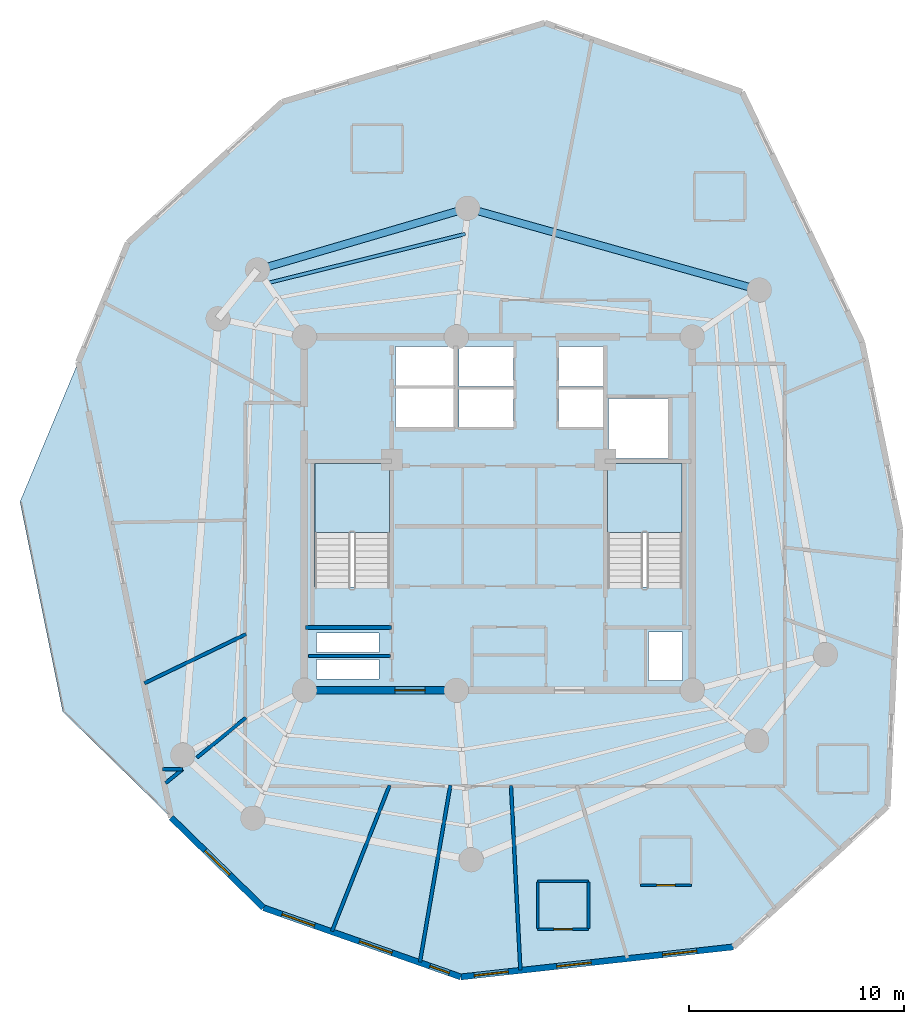
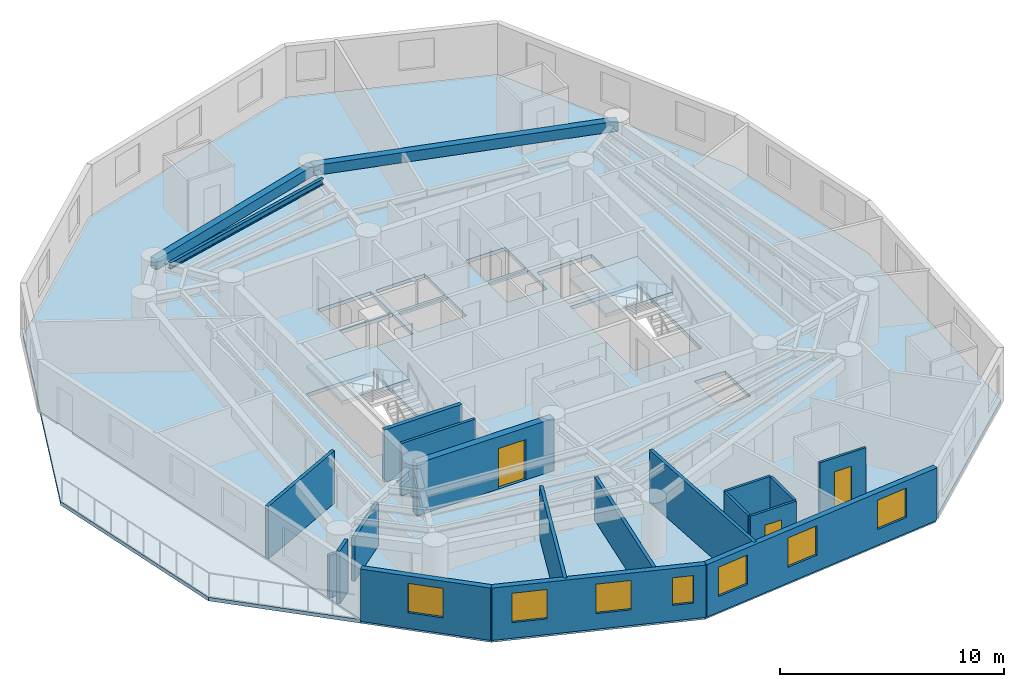
# One storey, part 2 of 8: 18 walls, 7 windows, 4 slabs, 3 beams, 3 doors, 10 openings, 2 elements without a shape of their own.
"""IFC4 building model written with IfcOpenShell, lengths in metres."""

from ifc_helpers import new_model, si_unit, direction, frame, frame_2d, origin, origin_with_axes, origin_2d, place, context, subcontext, project, spatial, polyline, rectangle, i_section, outline, extrude, source, transform, mapped, material, layer, layer_set, material_profile, profile_set, type_object, element, fill, aggregate, save


model = new_model("IFC4")

# Units and contexts
model_context = context("Model", 3, precision=1e-05, world=origin(), true_north=direction((0.0, 1.0)))
body_context = subcontext(model_context, "Body", "Model", "MODEL_VIEW")
ifc_project = project(units=[si_unit("LENGTHUNIT", "METRE"), si_unit("AREAUNIT", "SQUARE_METRE"), si_unit("VOLUMEUNIT", "CUBIC_METRE"), si_unit("PLANEANGLEUNIT", "RADIAN"), si_unit("MASSUNIT", "GRAM", prefix="KILO")], contexts=[model_context])

# Site, building, storey
site_placement = place(None, origin())
site = spatial("IfcSite", under=ifc_project, at=site_placement, CompositionType="ELEMENT")
building_placement = place(site_placement, origin())
building = spatial("IfcBuilding", under=site, at=building_placement, Name="Karkom Vertical University and Central Library", CompositionType="ELEMENT")
storey_placement = place(building_placement, frame((0.0, 0.0, 216.89990234375)))
storey = spatial("IfcBuildingStorey", under=building, at=storey_placement, Name="L63", CompositionType="ELEMENT", Elevation=216.89990234375)

# Beams
ifc_material_1 = material(Name="Precast concrete C45/55", Category="concrete")
ifc_material_profile_1 = material_profile(ifc_material_1, rectangle(XDim=0.35009765625, YDim=0.550048828125, at=origin_2d()), Name="SPB-350x550")
ifc_profile_set_1 = profile_set([ifc_material_profile_1], Name="Precast concrete C45/55")
beam_type_1 = type_object("IfcBeamType", Name="STR-BM-SP-2", PredefinedType="SPANDREL", material=ifc_profile_set_1)
shared_shape_1 = source(origin_with_axes(), body_context, "Body", "SweptSolid", [
    extrude(rectangle(XDim=0.35009765625, YDim=0.550048828125, at=origin_2d()), origin(), (0.0, 0.0, 1.0), 14.0625),
])
beam_1_placement = place(storey_placement, frame((40.613037109375, 36.8798828125, 2.5751953125), z_axis=(-0.962854853531, 0.270019501207, 0.0), x_axis=(-0.270019501207, -0.962854853531, 0.0)))
element("IfcBeam", 1, at=beam_1_placement, inside=storey, type_object=beam_type_1, Name="Level 63 Perimeter Spandrel Beam 02", PredefinedType="SPANDREL", context=body_context, shape_type="MappedRepresentation", body=[
    mapped(shared_shape_1, transform((0.0, 0.0, 0.0), scale=1.0)),
])
shared_shape_2 = source(origin_with_axes(), body_context, "Body", "SweptSolid", [
    extrude(rectangle(XDim=0.35009765625, YDim=0.550048828125, at=origin_2d()), origin(), (0.0, 0.0, 1.0), 10.164794921875),
])
beam_2_placement = place(storey_placement, frame((27.072998046875, 40.677001953125, 2.5751953125), z_axis=(-0.959485124536, -0.281759286971, 0.0), x_axis=(0.281759286971, -0.959485124536, 0.0)))
element("IfcBeam", 2, at=beam_2_placement, inside=storey, type_object=beam_type_1, Name="Level 63 Perimeter Spandrel Beam 03", PredefinedType="SPANDREL", context=body_context, shape_type="MappedRepresentation", body=[
    mapped(shared_shape_2, transform((0.0, 0.0, 0.0), scale=1.0)),
])
ifc_material_2 = material(Name="Steel S355", Category="steel")
ifc_material_profile_2 = material_profile(ifc_material_2, i_section(OverallWidth=0.159912109375, OverallDepth=0.330078125, WebThickness=0.007568359375, FlangeThickness=0.011474609375, FilletRadius=0.01806640625, at=origin_2d()), Name="IPE 330")
ifc_profile_set_2 = profile_set([ifc_material_profile_2], Name="Steel S355")
beam_type_2 = type_object("IfcBeamType", Name="STR-BM-SB-IPE330", PredefinedType="BEAM", material=ifc_profile_set_2)
shared_shape_3 = source(origin_with_axes(), body_context, "Body", "SweptSolid", [
    extrude(i_section(OverallWidth=0.159912109375, OverallDepth=0.330078125, WebThickness=0.007568359375, FlangeThickness=0.011474609375, FilletRadius=0.01806640625, at=origin_2d()), origin(), (0.0, 0.0, 1.0), 9.4931640625),
])
beam_3_placement = place(storey_placement, frame((26.968505859375, 39.481689453125, 2.68505859375), z_axis=(-0.970435275293, -0.241361505767, 0.0), x_axis=(0.241361505767, -0.970435275293, 0.0)))
element("IfcBeam", 3, at=beam_3_placement, inside=storey, type_object=beam_type_2, Name="Level 63 Secondary Composite Floor Beam 3.03", PredefinedType="BEAM", context=body_context, shape_type="MappedRepresentation", body=[
    mapped(shared_shape_3, transform((0.0, 0.0, 0.0), scale=1.0)),
])

# Stair, slab
ifc_material_3 = material(Name="Concrete C45/55", Category="concrete")
stair_type = type_object("IfcStairType", Name="INT-STR-ST-MAIN", PredefinedType="HALF_TURN_STAIR", material=ifc_material_3)
stair_1_placement = place(storey_placement, origin())
stair_1 = element("IfcStair", 4, at=stair_1_placement, inside=storey, type_object=stair_type, Name="Level 63 Tower Protected Exit Stair ST-1", PredefinedType="HALF_TURN_STAIR")
ifc_layer_1 = layer(ifc_material_3, 0.199951171875)
ifc_layer_set_1 = layer_set([ifc_layer_1], Name="Concrete C45/55")
slab_type_1 = type_object("IfcSlabType", Name="INT-SLB-LANDING", PredefinedType="LANDING", material=ifc_layer_set_1)
slab_1_placement = place(storey_placement, frame((0.0, 0.0, 1.3251953125)))
slab_1 = element("IfcSlab", 5, at=slab_1_placement, type_object=slab_type_1, Name="ST-1 landing 1", PredefinedType="LANDING", context=body_context, shape_type="SweptSolid", body=[
    extrude(outline(polyline([(23.43994140625, 25.6298828125), (23.43994140625, 28.820068359375), (19.97998046875, 28.820068359375), (19.97998046875, 25.6298828125), (23.43994140625, 25.6298828125)])), origin(), (0.0, 0.0, 1.0), 0.199951171875),
])
aggregate(stair_1, [slab_1])

stair_2_placement = place(storey_placement, origin())
stair_2 = element("IfcStair", 6, at=stair_2_placement, inside=storey, type_object=stair_type, Name="Level 63 Tower Protected Exit Stair ST-2", PredefinedType="HALF_TURN_STAIR")
slab_2_placement = place(storey_placement, frame((0.0, 0.0, 1.3251953125)))
slab_2 = element("IfcSlab", 7, at=slab_2_placement, type_object=slab_type_1, Name="ST-2 landing 1", PredefinedType="LANDING", context=body_context, shape_type="SweptSolid", body=[
    extrude(outline(polyline([(37.02001953125, 25.6298828125), (37.02001953125, 28.820068359375), (33.56005859375, 28.820068359375), (33.56005859375, 25.6298828125), (37.02001953125, 25.6298828125)])), origin(), (0.0, 0.0, 1.0), 0.199951171875),
])
aggregate(stair_2, [slab_2])

# Slabs
ifc_material_4 = material(Name="Concrete C40/50", Category="concrete")
ifc_layer_2 = layer(ifc_material_4, 0.199951171875)
ifc_layer_set_2 = layer_set([ifc_layer_2], Name="Concrete C40/50")
slab_type_2 = type_object("IfcSlabType", Name="STR-SLB-FLR-200", PredefinedType="FLOOR", material=ifc_layer_set_2)
slab_3_placement = place(storey_placement, frame((0.0, 0.0, -0.199951171875)))
element("IfcSlab", 8, at=slab_3_placement, inside=storey, type_object=slab_type_2, Name="Level 63 Tower Structural Floor Slab", PredefinedType="FLOOR", context=body_context, shape_type="SweptSolid", body=[
    extrude(outline(polyline([(13.316162109375, 12.3916015625), (17.596923828125, 8.20849609375), (26.75244140625, 4.9951171875), (39.4033203125, 6.387939453125), (46.555419921875, 12.914306640625), (47.144775390625, 25.774658203125), (45.37353515625, 34.464599609375), (39.798095703125, 46.068603515625), (30.662109375, 49.27490234375), (18.475341796875, 45.605712890625), (11.307861328125, 39.065185546875), (9.005615234375, 33.540283203125), (13.316162109375, 12.3916015625)]), holes=[polyline([(19.97998046875, 23.0849609375), (23.43994140625, 23.0849609375), (23.43994140625, 28.820068359375), (19.97998046875, 28.820068359375), (19.97998046875, 23.0849609375)]), polyline([(33.56005859375, 23.0849609375), (37.02001953125, 23.0849609375), (37.02001953125, 28.820068359375), (33.56005859375, 28.820068359375), (33.56005859375, 23.0849609375)]), polyline([(26.679931640625, 30.5), (29.199951171875, 30.5), (29.199951171875, 32.25), (26.679931640625, 32.25), (26.679931640625, 30.5)]), polyline([(26.679931640625, 32.39990234375), (29.199951171875, 32.39990234375), (29.199951171875, 34.25), (26.679931640625, 34.25), (26.679931640625, 32.39990234375)]), polyline([(31.300048828125, 30.5), (33.35009765625, 30.5), (33.35009765625, 32.25), (31.300048828125, 32.25), (31.300048828125, 30.5)]), polyline([(31.300048828125, 32.39990234375), (33.35009765625, 32.39990234375), (33.35009765625, 34.25), (31.300048828125, 34.25), (31.300048828125, 32.39990234375)]), polyline([(23.719970703125, 30.47998046875), (26.429931640625, 30.47998046875), (26.429931640625, 32.320068359375), (23.719970703125, 32.320068359375), (23.719970703125, 30.47998046875)]), polyline([(23.719970703125, 32.419921875), (26.429931640625, 32.419921875), (26.429931640625, 34.260009765625), (23.719970703125, 34.260009765625), (23.719970703125, 32.419921875)]), polyline([(33.60009765625, 29.050048828125), (36.39990234375, 29.050048828125), (36.39990234375, 31.85009765625), (33.60009765625, 31.85009765625), (33.60009765625, 29.050048828125)]), polyline([(20.050048828125, 18.820068359375), (22.949951171875, 18.820068359375), (22.949951171875, 19.719970703125), (20.050048828125, 19.719970703125), (20.050048828125, 18.820068359375)]), polyline([(20.050048828125, 20.06005859375), (22.949951171875, 20.06005859375), (22.949951171875, 20.9599609375), (20.050048828125, 20.9599609375), (20.050048828125, 20.06005859375)]), polyline([(35.4599609375, 18.760009765625), (37.0400390625, 18.760009765625), (37.0400390625, 21.010009765625), (35.4599609375, 21.010009765625), (35.4599609375, 18.760009765625)])]), origin(), (0.0, 0.0, 1.0), 0.199951171875),
])
ifc_layer_3 = layer(ifc_material_3, 0.199951171875)
ifc_layer_set_3 = layer_set([ifc_layer_3], Name="Concrete C45/55")
slab_type_3 = type_object("IfcSlabType", Name="STR-SLB-PLN-260", PredefinedType="USERDEFINED", material=ifc_layer_set_3)
slab_4_placement = place(storey_placement, frame((0.0, 0.0, -0.199951171875)))
element("IfcSlab", 9, at=slab_4_placement, inside=storey, type_object=slab_type_3, Name="Level 63 Spiral Sky Garden Planter Terrace", ObjectType="PLANTER", PredefinedType="USERDEFINED", context=body_context, shape_type="SweptSolid", body=[
    extrude(outline(polyline([(8.2822265625, 17.310791015625), (13.316162109375, 12.3916015625), (9.005615234375, 33.540283203125), (6.298583984375, 27.043701171875), (8.2822265625, 17.310791015625)])), origin(), (0.0, 0.0, 1.0), 0.199951171875),
])

# Wall, opening, window
ifc_material_5 = material(Name="Brick-faced precast concrete C45/55", Category="masonry")
ifc_layer_4 = layer(ifc_material_5, 0.280029296875)
ifc_layer_set_4 = layer_set([ifc_layer_4], Name="Brick-faced precast concrete C45/55")
wall_type_1 = type_object("IfcWallType", Name="ENV-WL-BRK-280", PredefinedType="SOLIDWALL", material=ifc_layer_set_4)
wall_1_placement = place(storey_placement, frame((13.316162109375, 12.3916015625, 0.0), z_axis=(0.0, 0.0, 1.0), x_axis=(0.715217786387, -0.69890165119, 0.0)))
wall_1 = element("IfcWall", 10, at=wall_1_placement, inside=storey, type_object=wall_type_1, Name="Level 63 Brick-Faced Precast Facade Wall 01", PredefinedType="SOLIDWALL", context=body_context, shape_type="SweptSolid", body=[
    extrude(rectangle(XDim=5.9853515625, YDim=0.280029296875, at=frame_2d((2.99267578125, 0.0))), origin(), (0.0, 0.0, 1.0), 2.85009765625),
])
opening_1_placement = place(wall_1_placement, frame((2.192626953125, 0.0, 0.85009765625)))
opening_1 = element("IfcOpeningElement", 11, at=opening_1_placement, cuts=wall_1, Name="Opening WN-10", PredefinedType="OPENING", context=body_context, shape_type="SweptSolid", body=[
    extrude(rectangle(XDim=1.60009765625, YDim=1.60009765625, at=frame_2d((0.800048828125, 0.800048828125))), frame((0.0, 0.14990234375, 0.0), z_axis=(0.0, -1.0, 0.0), x_axis=(1.0, 0.0, 0.0)), (0.0, 0.0, 1.0), 0.300048828125),
])
ifc_material_6 = material(Name="Aluminium thermal-break frame with solar-control IGU", Category="aluminium")
window_type_1 = type_object("IfcWindowType", Name="ENV-WIN-WN-10", PartitioningType="SINGLE_PANEL", PredefinedType="WINDOW", material=ifc_material_6)
shared_shape_4 = source(origin_with_axes(), body_context, "Body", "SweptSolid", [
    extrude(rectangle(XDim=1.60009765625, YDim=1.60009765625, at=frame_2d((0.800048828125, 0.800048828125))), frame((0.0, 0.030029296875, 0.0), z_axis=(0.0, -1.0, 0.0), x_axis=(1.0, 0.0, 0.0)), (0.0, 0.0, 1.0), 0.06005859375),
])
window_1_placement = place(opening_1_placement, origin())
window_1 = element("IfcWindow", 12, at=window_1_placement, inside=storey, type_object=window_type_1, Name="Level 63 Punched Window 1.1", OverallHeight=1.60009765625, OverallWidth=1.60009765625, PartitioningType="SINGLE_PANEL", PredefinedType="WINDOW", context=body_context, shape_type="MappedRepresentation", body=[
    mapped(shared_shape_4, transform((0.0, 0.0, 0.0), scale=1.0)),
])
fill(opening_1, window_1)

# Wall, openings, windows
wall_2_placement = place(storey_placement, frame((17.596923828125, 8.20849609375, 0.0), z_axis=(0.0, 0.0, 1.0), x_axis=(0.943570466197, -0.331171821447, 0.0)))
wall_2 = element("IfcWall", 13, at=wall_2_placement, inside=storey, type_object=wall_type_1, Name="Level 63 Brick-Faced Precast Facade Wall 02", PredefinedType="SOLIDWALL", context=body_context, shape_type="SweptSolid", body=[
    extrude(rectangle(XDim=9.703125, YDim=0.280029296875, at=frame_2d((4.8515625, 0.0))), origin(), (0.0, 0.0, 1.0), 2.85009765625),
])
opening_2_placement = place(wall_2_placement, frame((0.910888671875, 0.0, 0.85009765625)))
opening_2 = element("IfcOpeningElement", 14, at=opening_2_placement, cuts=wall_2, Name="Opening WN-10", PredefinedType="OPENING", context=body_context, shape_type="SweptSolid", body=[
    extrude(rectangle(XDim=1.60009765625, YDim=1.60009765625, at=frame_2d((0.800048828125, 0.800048828125))), frame((0.0, 0.14990234375, 0.0), z_axis=(0.0, -1.0, 0.0), x_axis=(1.0, 0.0, 0.0)), (0.0, 0.0, 1.0), 0.300048828125),
])
opening_3_placement = place(wall_2_placement, frame((4.722412109375, 0.0, 0.85009765625)))
opening_3 = element("IfcOpeningElement", 15, at=opening_3_placement, cuts=wall_2, Name="Opening WN-10", PredefinedType="OPENING", context=body_context, shape_type="SweptSolid", body=[
    extrude(rectangle(XDim=1.60009765625, YDim=1.60009765625, at=frame_2d((0.800048828125, 0.800048828125))), frame((0.0, 0.14990234375, 0.0), z_axis=(0.0, -1.0, 0.0), x_axis=(1.0, 0.0, 0.0)), (0.0, 0.0, 1.0), 0.300048828125),
])
opening_4_placement = place(wall_2_placement, frame((8.18798828125, 0.0, 0.85009765625)))
opening_4 = element("IfcOpeningElement", 16, at=opening_4_placement, cuts=wall_2, Name="Opening WN-12", PredefinedType="OPENING", context=body_context, shape_type="SweptSolid", body=[
    extrude(rectangle(XDim=0.949951171875, YDim=1.5, at=frame_2d((0.47509765625, 0.75))), frame((0.0, 0.14990234375, 0.0), z_axis=(0.0, -1.0, 0.0), x_axis=(1.0, 0.0, 0.0)), (0.0, 0.0, 1.0), 0.300048828125),
])
window_type_2 = type_object("IfcWindowType", Name="ENV-WIN-WN-12", PartitioningType="SINGLE_PANEL", PredefinedType="WINDOW", material=ifc_material_6)
shared_shape_5 = source(origin_with_axes(), body_context, "Body", "SweptSolid", [
    extrude(rectangle(XDim=0.949951171875, YDim=1.5, at=frame_2d((0.47509765625, 0.75))), frame((0.0, 0.030029296875, 0.0), z_axis=(0.0, -1.0, 0.0), x_axis=(1.0, 0.0, 0.0)), (0.0, 0.0, 1.0), 0.06005859375),
])
window_2_placement = place(opening_4_placement, origin())
window_2 = element("IfcWindow", 17, at=window_2_placement, inside=storey, type_object=window_type_2, Name="Level 63 Punched Window 2.3", OverallHeight=1.5, OverallWidth=0.949951171875, PartitioningType="SINGLE_PANEL", PredefinedType="WINDOW", context=body_context, shape_type="MappedRepresentation", body=[
    mapped(shared_shape_5, transform((0.0, 0.0, 0.0), scale=1.0)),
])
fill(opening_4, window_2)
window_3_placement = place(opening_2_placement, origin())
window_3 = element("IfcWindow", 18, at=window_3_placement, inside=storey, type_object=window_type_1, Name="Level 63 Punched Window 2.1", OverallHeight=1.60009765625, OverallWidth=1.60009765625, PartitioningType="SINGLE_PANEL", PredefinedType="WINDOW", context=body_context, shape_type="MappedRepresentation", body=[
    mapped(shared_shape_4, transform((0.0, 0.0, 0.0), scale=1.0)),
])
fill(opening_2, window_3)
window_4_placement = place(opening_3_placement, origin())
window_4 = element("IfcWindow", 19, at=window_4_placement, inside=storey, type_object=window_type_1, Name="Level 63 Punched Window 2.2", OverallHeight=1.60009765625, OverallWidth=1.60009765625, PartitioningType="SINGLE_PANEL", PredefinedType="WINDOW", context=body_context, shape_type="MappedRepresentation", body=[
    mapped(shared_shape_4, transform((0.0, 0.0, 0.0), scale=1.0)),
])
fill(opening_3, window_4)

wall_3_placement = place(storey_placement, frame((26.75244140625, 4.9951171875, 0.0), z_axis=(0.0, 0.0, 1.0), x_axis=(0.993993885495, 0.10943562308, 0.0)))
wall_3 = element("IfcWall", 20, at=wall_3_placement, inside=storey, type_object=wall_type_1, Name="Level 63 Brick-Faced Precast Facade Wall 03", PredefinedType="SOLIDWALL", context=body_context, shape_type="SweptSolid", body=[
    extrude(rectangle(XDim=12.727294921875, YDim=0.280029296875, at=frame_2d((6.36376953125, 0.0))), origin(), (0.0, 0.0, 1.0), 2.85009765625),
])
opening_5_placement = place(wall_3_placement, frame((0.625, 0.0, 0.85009765625)))
opening_5 = element("IfcOpeningElement", 21, at=opening_5_placement, cuts=wall_3, Name="Opening WN-10", PredefinedType="OPENING", context=body_context, shape_type="SweptSolid", body=[
    extrude(rectangle(XDim=1.60009765625, YDim=1.60009765625, at=frame_2d((0.800048828125, 0.800048828125))), frame((0.0, 0.14990234375, 0.0), z_axis=(0.0, -1.0, 0.0), x_axis=(1.0, 0.0, 0.0)), (0.0, 0.0, 1.0), 0.300048828125),
])
opening_6_placement = place(wall_3_placement, frame((4.484619140625, 0.0, 0.85009765625)))
opening_6 = element("IfcOpeningElement", 22, at=opening_6_placement, cuts=wall_3, Name="Opening WN-10", PredefinedType="OPENING", context=body_context, shape_type="SweptSolid", body=[
    extrude(rectangle(XDim=1.60009765625, YDim=1.60009765625, at=frame_2d((0.800048828125, 0.800048828125))), frame((0.0, 0.14990234375, 0.0), z_axis=(0.0, -1.0, 0.0), x_axis=(1.0, 0.0, 0.0)), (0.0, 0.0, 1.0), 0.300048828125),
])
opening_7_placement = place(wall_3_placement, frame((9.423095703125, 0.0, 0.85009765625)))
opening_7 = element("IfcOpeningElement", 23, at=opening_7_placement, cuts=wall_3, Name="Opening WN-10", PredefinedType="OPENING", context=body_context, shape_type="SweptSolid", body=[
    extrude(rectangle(XDim=1.60009765625, YDim=1.60009765625, at=frame_2d((0.800048828125, 0.800048828125))), frame((0.0, 0.14990234375, 0.0), z_axis=(0.0, -1.0, 0.0), x_axis=(1.0, 0.0, 0.0)), (0.0, 0.0, 1.0), 0.300048828125),
])
window_5_placement = place(opening_5_placement, origin())
window_5 = element("IfcWindow", 24, at=window_5_placement, inside=storey, type_object=window_type_1, Name="Level 63 Punched Window 3.1", OverallHeight=1.60009765625, OverallWidth=1.60009765625, PartitioningType="SINGLE_PANEL", PredefinedType="WINDOW", context=body_context, shape_type="MappedRepresentation", body=[
    mapped(shared_shape_4, transform((0.0, 0.0, 0.0), scale=1.0)),
])
fill(opening_5, window_5)
window_6_placement = place(opening_6_placement, origin())
window_6 = element("IfcWindow", 25, at=window_6_placement, inside=storey, type_object=window_type_1, Name="Level 63 Punched Window 3.2", OverallHeight=1.60009765625, OverallWidth=1.60009765625, PartitioningType="SINGLE_PANEL", PredefinedType="WINDOW", context=body_context, shape_type="MappedRepresentation", body=[
    mapped(shared_shape_4, transform((0.0, 0.0, 0.0), scale=1.0)),
])
fill(opening_6, window_6)
window_7_placement = place(opening_7_placement, origin())
window_7 = element("IfcWindow", 26, at=window_7_placement, inside=storey, type_object=window_type_1, Name="Level 63 Punched Window 3.3", OverallHeight=1.60009765625, OverallWidth=1.60009765625, PartitioningType="SINGLE_PANEL", PredefinedType="WINDOW", context=body_context, shape_type="MappedRepresentation", body=[
    mapped(shared_shape_4, transform((0.0, 0.0, 0.0), scale=1.0)),
])
fill(opening_7, window_7)

# Walls
ifc_material_7 = material(Name="Insulated metal-stud drywall 160mm", Category="gypsum")
ifc_layer_5 = layer(ifc_material_7, 0.159912109375)
ifc_layer_set_5 = layer_set([ifc_layer_5], Name="Insulated metal-stud drywall 160mm")
wall_type_2 = type_object("IfcWallType", Name="INT-WL-COR-160", PredefinedType="PARTITIONING", material=ifc_layer_set_5)
wall_4_placement = place(storey_placement, frame((29.084228515625, 13.8798828125, 0.0), z_axis=(0.0, 0.0, 1.0), x_axis=(0.050989521913, -0.998699188272, 0.0)))
element("IfcWall", 27, at=wall_4_placement, inside=storey, type_object=wall_type_2, Name="Level 63 Interior Partition Wall L63-PW-008", PredefinedType="PARTITIONING", context=body_context, shape_type="SweptSolid", body=[
    extrude(rectangle(XDim=8.56591796875, YDim=0.159912109375, at=frame_2d((4.282958984375, 0.0))), origin(), (0.0, 0.0, 1.0), 2.85009765625),
])
wall_5_placement = place(storey_placement, frame((26.271484375, 13.894287109375, 0.0), z_axis=(0.0, 0.0, 1.0), x_axis=(-0.169469072831, -0.985535505882, 0.0)))
element("IfcWall", 28, at=wall_5_placement, inside=storey, type_object=wall_type_2, Name="Level 63 Interior Partition Wall L63-PW-007", PredefinedType="PARTITIONING", context=body_context, shape_type="SweptSolid", body=[
    extrude(rectangle(XDim=8.328125, YDim=0.159912109375, at=frame_2d((4.1640625, 0.0))), origin(), (0.0, 0.0, 1.0), 2.35009765625),
])
wall_6_placement = place(storey_placement, frame((23.45263671875, 13.891845703125, 0.0), z_axis=(0.0, 0.0, 1.0), x_axis=(-0.367561121013, -0.929999366838, 0.0)))
element("IfcWall", 29, at=wall_6_placement, inside=storey, type_object=wall_type_2, Name="Level 63 Interior Partition Wall L63-PW-006", PredefinedType="PARTITIONING", context=body_context, shape_type="SweptSolid", body=[
    extrude(rectangle(XDim=7.282470703125, YDim=0.159912109375, at=frame_2d((3.64111328125, 0.0))), origin(), (0.0, 0.0, 1.0), 2.85009765625),
])
wall_7_placement = place(storey_placement, frame((16.79052734375, 20.90771484375, 0.0), z_axis=(0.0, 0.0, 1.0), x_axis=(-0.900356558633, -0.435152924069, 0.0)))
element("IfcWall", 30, at=wall_7_placement, inside=storey, type_object=wall_type_2, Name="Level 63 Interior Partition Wall L63-PW-001", PredefinedType="PARTITIONING", context=body_context, shape_type="SweptSolid", body=[
    extrude(rectangle(XDim=5.240234375, YDim=0.159912109375, at=frame_2d((2.6201171875, 0.0))), origin(), (0.0, 0.0, 1.0), 2.85009765625),
])
wall_8_placement = place(storey_placement, frame((16.784912109375, 17.03173828125, 0.0), z_axis=(0.0, 0.0, 1.0), x_axis=(-0.775222919208, -0.631687759526, 0.0)))
element("IfcWall", 31, at=wall_8_placement, inside=storey, type_object=wall_type_2, Name="Level 63 Interior Partition Wall L63-PW-003", PredefinedType="PARTITIONING", context=body_context, shape_type="SweptSolid", body=[
    extrude(rectangle(XDim=2.935791015625, YDim=0.159912109375, at=frame_2d((1.4677734375, 0.0))), origin(), (0.0, 0.0, 1.0), 2.35009765625),
])
wall_9_placement = place(storey_placement, frame((13.843505859375, 14.635009765625, 0.0), z_axis=(0.0, 0.0, 1.0), x_axis=(-0.775195820766, -0.631721013951, 0.0)))
element("IfcWall", 32, at=wall_9_placement, inside=storey, type_object=wall_type_2, Name="Level 63 Interior Partition Wall L63-PW-005", PredefinedType="PARTITIONING", context=body_context, shape_type="SweptSolid", body=[
    extrude(rectangle(XDim=1.017578125, YDim=0.159912109375, at=frame_2d((0.5087890625, 0.0))), origin(), (0.0, 0.0, 1.0), 2.85009765625),
])
wall_10_placement = place(storey_placement, frame((12.920654296875, 14.635009765625, 0.0), z_axis=(0.0, 0.0, 1.0), x_axis=(1.0, 0.0, 0.0)))
element("IfcWall", 33, at=wall_10_placement, inside=storey, type_object=wall_type_2, Name="Level 63 Interior Partition Wall L63-PW-004", PredefinedType="PARTITIONING", context=body_context, shape_type="SweptSolid", body=[
    extrude(rectangle(XDim=0.9228515625, YDim=0.159912109375, at=frame_2d((0.46142578125, 0.0))), origin(), (0.0, 0.0, 1.0), 2.300048828125),
])

# Wall, opening, door
ifc_material_8 = material(Name="Moisture-resistant drywall 120mm", Category="gypsum")
ifc_layer_6 = layer(ifc_material_8, 0.1201171875)
ifc_layer_set_6 = layer_set([ifc_layer_6], Name="Moisture-resistant drywall 120mm")
wall_type_3 = type_object("IfcWallType", Name="INT-WL-INT-120F", PredefinedType="PARTITIONING", material=ifc_layer_set_6)
wall_11_placement = place(storey_placement, frame((35.091064453125, 9.2529296875, 0.0), z_axis=(0.0, 0.0, 1.0), x_axis=(1.0, 0.0, 0.0)))
wall_11 = element("IfcWall", 34, at=wall_11_placement, inside=storey, type_object=wall_type_3, Name="Level 63 Interior Partition Wall L63-ENS-46-S", PredefinedType="PARTITIONING", context=body_context, shape_type="SweptSolid", body=[
    extrude(rectangle(XDim=2.35986328125, YDim=0.1201171875, at=frame_2d((1.179931640625, 0.0))), origin(), (0.0, 0.0, 1.0), 2.85009765625),
])
opening_8_placement = place(wall_11_placement, frame((0.75, 0.0, 0.0)))
opening_8 = element("IfcOpeningElement", 35, at=opening_8_placement, cuts=wall_11, Name="Opening D-BATH", PredefinedType="OPENING", context=body_context, shape_type="SweptSolid", body=[
    extrude(rectangle(XDim=0.860107421875, YDim=2.10009765625, at=frame_2d((0.43017578125, 1.050048828125))), frame((0.0, 0.070068359375, 0.0), z_axis=(0.0, -1.0, 0.0), x_axis=(1.0, 0.0, 0.0)), (0.0, 0.0, 1.0), 0.14013671875),
])
ifc_material_9 = material(Name="Moisture-resistant oak door", Category="wood")
door_type_1 = type_object("IfcDoorType", Name="INT-DR-BATH", OperationType="NOTDEFINED", PredefinedType="DOOR", material=ifc_material_9)
shared_shape_6 = source(origin_with_axes(), body_context, "Body", "SweptSolid", [
    extrude(rectangle(XDim=0.860107421875, YDim=2.10009765625, at=frame_2d((0.43017578125, 1.050048828125))), frame((0.0, 0.02490234375, 0.0), z_axis=(0.0, -1.0, 0.0), x_axis=(1.0, 0.0, 0.0)), (0.0, 0.0, 1.0), 0.050048828125),
])
door_1_placement = place(opening_8_placement, origin())
door_1 = element("IfcDoor", 36, at=door_1_placement, inside=storey, type_object=door_type_1, Name="Level 63 En-Suite Bathroom Door 46", OperationType="SINGLE_SWING_LEFT", OverallHeight=2.10009765625, OverallWidth=0.860107421875, PredefinedType="DOOR", context=body_context, shape_type="MappedRepresentation", body=[
    mapped(shared_shape_6, transform((0.0, 0.0, 0.0), scale=1.0)),
])
fill(opening_8, door_1)

wall_12_placement = place(storey_placement, frame((30.323974609375, 7.2041015625, 0.0), z_axis=(0.0, 0.0, 1.0), x_axis=(1.0, 0.0, 0.0)))
wall_12 = element("IfcWall", 37, at=wall_12_placement, inside=storey, type_object=wall_type_3, Name="Level 63 Interior Partition Wall L63-ENS-45-S", PredefinedType="PARTITIONING", context=body_context, shape_type="SweptSolid", body=[
    extrude(rectangle(XDim=2.360107421875, YDim=0.1201171875, at=frame_2d((1.18017578125, 0.0))), origin(), (0.0, 0.0, 1.0), 2.85009765625),
])
opening_9_placement = place(wall_12_placement, frame((0.75, 0.0, 0.0)))
opening_9 = element("IfcOpeningElement", 38, at=opening_9_placement, cuts=wall_12, Name="Opening D-BATH", PredefinedType="OPENING", context=body_context, shape_type="SweptSolid", body=[
    extrude(rectangle(XDim=0.860107421875, YDim=2.10009765625, at=frame_2d((0.43017578125, 1.050048828125))), frame((0.0, 0.070068359375, 0.0), z_axis=(0.0, -1.0, 0.0), x_axis=(1.0, 0.0, 0.0)), (0.0, 0.0, 1.0), 0.14013671875),
])
door_2_placement = place(opening_9_placement, origin())
door_2 = element("IfcDoor", 39, at=door_2_placement, inside=storey, type_object=door_type_1, Name="Level 63 En-Suite Bathroom Door 45", OperationType="SINGLE_SWING_LEFT", OverallHeight=2.10009765625, OverallWidth=0.860107421875, PredefinedType="DOOR", context=body_context, shape_type="MappedRepresentation", body=[
    mapped(shared_shape_6, transform((0.0, 0.0, 0.0), scale=1.0)),
])
fill(opening_9, door_2)

# Walls
wall_13_placement = place(storey_placement, frame((32.68408203125, 9.444091796875, 0.0), z_axis=(0.0, 0.0, 1.0), x_axis=(-1.0, 0.0, 0.0)))
element("IfcWall", 40, at=wall_13_placement, inside=storey, type_object=wall_type_3, Name="Level 63 Interior Partition Wall L63-ENS-45-N", PredefinedType="PARTITIONING", context=body_context, shape_type="SweptSolid", body=[
    extrude(rectangle(XDim=2.360107421875, YDim=0.1201171875, at=frame_2d((1.18017578125, 0.0))), origin(), (0.0, 0.0, 1.0), 2.85009765625),
])
for number, where, z_axis, x_axis, name in (
    (41, (32.68408203125, 7.25390625, 0.0), (0.0, 0.0, 1.0), (0.0, 1.0, 0.0), "Level 63 Interior Partition Wall L63-ENS-45-E"),
    (42, (30.323974609375, 9.39404296875, 0.0), (0.0, 0.0, 1.0), (0.0, -1.0, 0.0), "Level 63 Interior Partition Wall L63-ENS-45-W"),
):
    element("IfcWall", number, at=place(storey_placement, frame(where, z_axis=z_axis, x_axis=x_axis)), inside=storey, type_object=wall_type_3, Name=name, PredefinedType="PARTITIONING", context=body_context, shape_type="SweptSolid", body=[
        extrude(rectangle(XDim=2.14013671875, YDim=0.1201171875, at=frame_2d((1.070068359375, 0.0))), origin(), (0.0, 0.0, 1.0), 2.85009765625),
    ])
ifc_material_10 = material(Name="Metal-stud gypsum partition 140mm", Category="gypsum")
ifc_layer_7 = layer(ifc_material_10, 0.139892578125)
ifc_layer_set_7 = layer_set([ifc_layer_7], Name="Metal-stud gypsum partition 140mm")
wall_type_4 = type_object("IfcWallType", Name="INT-WL-SUB-140H", PredefinedType="PARTITIONING", material=ifc_layer_set_7)
wall_14_placement = place(storey_placement, frame((19.681884765625, 19.889892578125, 0.0), z_axis=(0.0, 0.0, 1.0), x_axis=(1.0, 0.0, 0.0)))
element("IfcWall", 43, at=wall_14_placement, inside=storey, type_object=wall_type_4, Name="Level 63 Interior Partition Wall L63-CW-RIS-W", PredefinedType="PARTITIONING", context=body_context, shape_type="SweptSolid", body=[
    extrude(rectangle(XDim=3.8154296875, YDim=0.139892578125, at=frame_2d((1.90771484375, 0.0))), origin(), (0.0, 0.0, 1.0), 2.85009765625),
])

# Wall, opening, door
ifc_layer_8 = layer(ifc_material_3, 0.35009765625)
ifc_layer_set_8 = layer_set([ifc_layer_8], Name="Concrete C45/55")
wall_type_5 = type_object("IfcWallType", Name="STR-WL-CW-350", PredefinedType="SHEAR", material=ifc_layer_set_8)
wall_15_placement = place(storey_placement, frame((19.5, 18.300048828125, 0.0), z_axis=(0.0, 0.0, 1.0), x_axis=(1.0, 0.0, 0.0)))
wall_15 = element("IfcWall", 44, at=wall_15_placement, inside=storey, type_object=wall_type_5, Name="Level 63 Central Core Shear Wall SW1", PredefinedType="SHEAR", context=body_context, shape_type="SweptSolid", body=[
    extrude(rectangle(XDim=7.050048828125, YDim=0.35009765625, at=frame_2d((3.52490234375, 0.0))), origin(), (0.0, 0.0, 1.0), 2.85009765625),
])
opening_10_placement = place(wall_15_placement, frame((4.199951171875, 0.0, 0.0)))
opening_10 = element("IfcOpeningElement", 45, at=opening_10_placement, cuts=wall_15, Name="Opening FD-CLB", PredefinedType="OPENING", context=body_context, shape_type="SweptSolid", body=[
    extrude(rectangle(XDim=1.39990234375, YDim=2.199951171875, at=frame_2d((0.699951171875, 1.10009765625))), frame((0.0, 0.18505859375, 0.0), z_axis=(0.0, -1.0, 0.0), x_axis=(1.0, 0.0, 0.0)), (0.0, 0.0, 1.0), 0.3701171875),
])
ifc_material_11 = material(Name="Painted steel fire door", Category="steel")
door_type_2 = type_object("IfcDoorType", Name="INT-DR-CLB", OperationType="DOUBLE_DOOR_SINGLE_SWING", PredefinedType="DOOR", material=ifc_material_11)
shared_shape_7 = source(origin_with_axes(), body_context, "Body", "SweptSolid", [
    extrude(rectangle(XDim=1.39990234375, YDim=2.199951171875, at=frame_2d((0.699951171875, 1.10009765625))), frame((0.0, 0.02490234375, 0.0), z_axis=(0.0, -1.0, 0.0), x_axis=(1.0, 0.0, 0.0)), (0.0, 0.0, 1.0), 0.050048828125),
])
door_3_placement = place(opening_10_placement, origin())
door_3 = element("IfcDoor", 46, at=door_3_placement, inside=storey, type_object=door_type_2, Name="Level 63 South Core Lobby West Exit Door", OperationType="DOUBLE_DOOR_SINGLE_SWING", OverallHeight=2.199951171875, OverallWidth=1.39990234375, PredefinedType="DOOR", context=body_context, shape_type="MappedRepresentation", body=[
    mapped(shared_shape_7, transform((0.0, 0.0, 0.0), scale=1.0)),
])
fill(opening_10, door_3)

# Wall
ifc_layer_9 = layer(ifc_material_3, 0.199951171875)
ifc_layer_set_9 = layer_set([ifc_layer_9], Name="Concrete C45/55")
wall_type_6 = type_object("IfcWallType", Name="STR-WL-ST-200", PredefinedType="SHEAR", material=ifc_layer_set_9)
wall_16_placement = place(storey_placement, frame((19.550048828125, 21.215087890625, 0.0), z_axis=(0.0, 0.0, 1.0), x_axis=(1.0, 0.0, 0.0)))
element("IfcWall", 47, at=wall_16_placement, inside=storey, type_object=wall_type_6, Name="Level 63 Core Shaft Wall L63-CW-ST1-S", PredefinedType="SHEAR", context=body_context, shape_type="SweptSolid", body=[
    extrude(rectangle(XDim=3.994873046875, YDim=0.199951171875, at=frame_2d((1.99755859375, 0.0))), origin(), (0.0, 0.0, 1.0), 2.85009765625),
])

save(model, "model.ifc")
